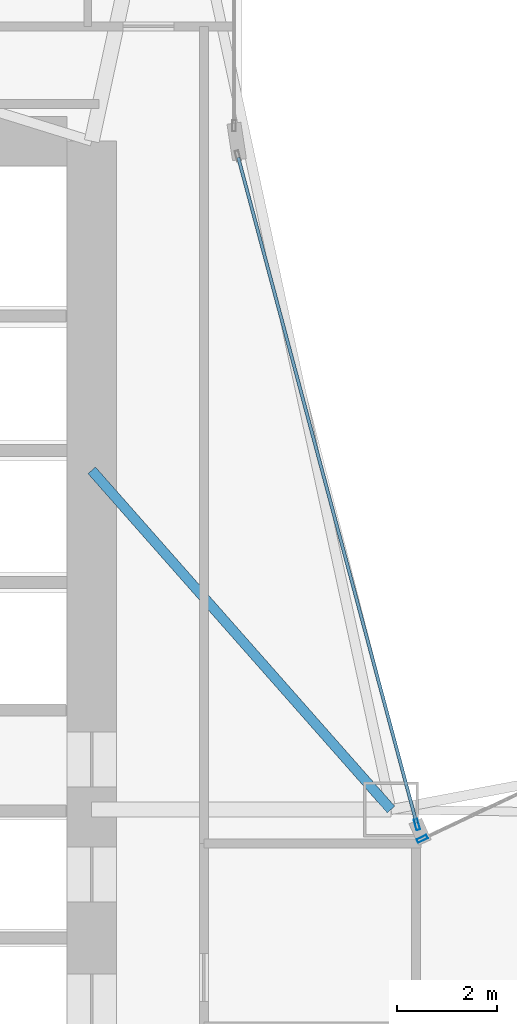
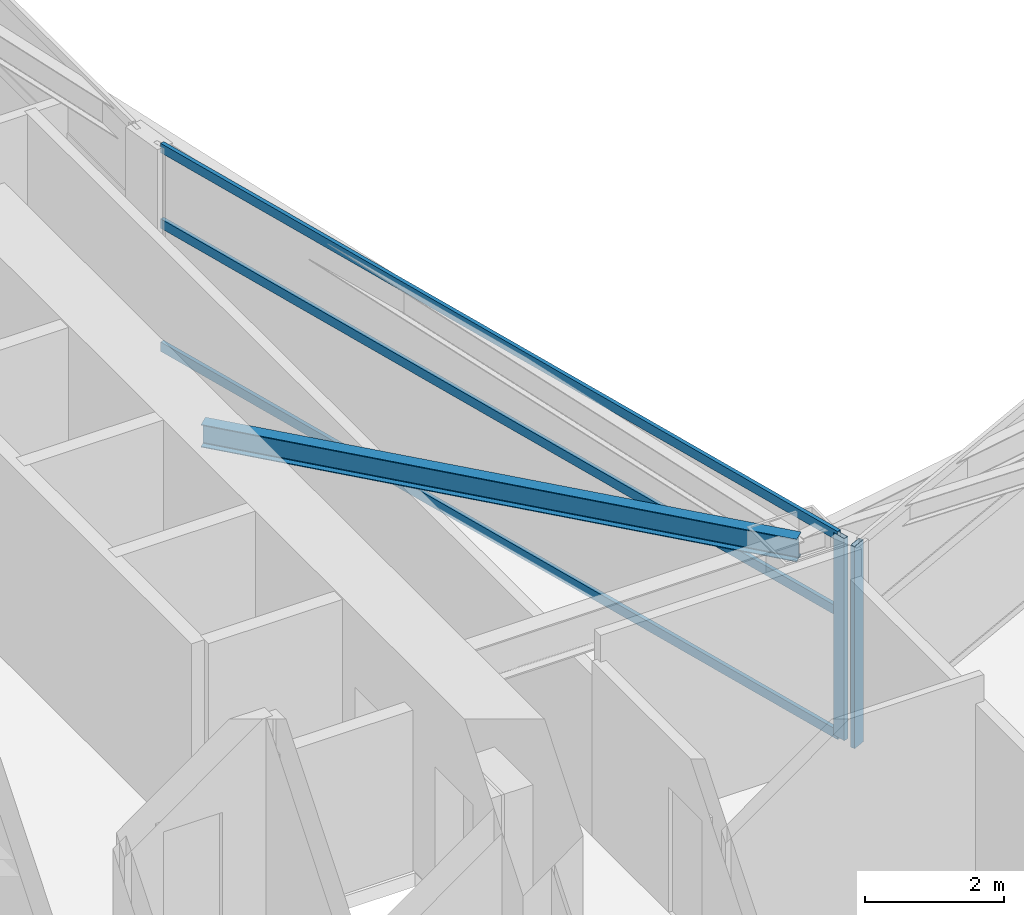
# One storey, part 10 of 29: 5 members, 1 beam, 2 elements without a shape of their own.
"""IFC4 building model written with IfcOpenShell, lengths in metres."""

from ifc_helpers import new_model, si_unit, direction, frame, origin, origin_2d, place, context, subcontext, project, spatial, hollow_rectangle, i_section, extrude, material, layer, layer_set, material_profile, profile_set, type_object, element, aggregate, save


model = new_model("IFC4")

# Units and contexts
model_context = context("Model", 3, precision=1e-05, world=origin(), true_north=direction((0.0, 1.0)))
body_context = subcontext(model_context, "Body", "Model", "MODEL_VIEW")
ifc_project = project(units=[si_unit("LENGTHUNIT", "METRE"), si_unit("AREAUNIT", "SQUARE_METRE"), si_unit("VOLUMEUNIT", "CUBIC_METRE"), si_unit("PLANEANGLEUNIT", "RADIAN"), si_unit("MASSUNIT", "GRAM", prefix="KILO")], contexts=[model_context])

# Site, building, storey
site_placement = place(None, origin())
site = spatial("IfcSite", under=ifc_project, at=site_placement, CompositionType="ELEMENT")
building_placement = place(site_placement, origin())
building = spatial("IfcBuilding", under=site, at=building_placement, Name="Calvorn Quay Hotel", CompositionType="ELEMENT")
storey_placement = place(building_placement, frame((0.0, 0.0, 58.39990234375)))
storey = spatial("IfcBuildingStorey", under=building, at=storey_placement, Name="L13", CompositionType="ELEMENT", Elevation=58.39990234375)

# Beam
ifc_material_1 = material(Name="Steel Q355B", Category="steel")
ifc_material_profile_1 = material_profile(ifc_material_1, i_section(OverallWidth=0.199951171875, OverallDepth=0.39990234375, WebThickness=0.008056640625, FlangeThickness=0.012939453125, FilletRadius=0.01611328125, at=origin_2d()), Name="HN400x200x8x13")
ifc_profile_set_1 = profile_set([ifc_material_profile_1], Name="Steel Q355B")
beam_type = type_object("IfcBeamType", Name="BM-JOIST-TYP", PredefinedType="JOIST", material=ifc_profile_set_1)
beam_placement = place(storey_placement, frame((15.0, 31.800048828125, 3.340087890625), z_axis=(0.661618965899, -0.749840212287, 0.0), x_axis=(0.749840212287, 0.661618965899, 0.0)))
element("IfcBeam", 1, at=beam_placement, inside=storey, type_object=beam_type, Name="Beam BJ-L13-C1", PredefinedType="JOIST", context=body_context, shape_type="SweptSolid", body=[
    extrude(i_section(OverallWidth=0.199951171875, OverallDepth=0.39990234375, WebThickness=0.008056640625, FlangeThickness=0.012939453125, FilletRadius=0.01611328125, at=origin_2d()), origin(), (0.0, 0.0, 1.0), 9.068603515625),
])

# Curtain wall, member
ifc_material_2 = material(Name="Pale Anodised Aluminium and Low-E Glass", Category="aluminium")
ifc_layer = layer(ifc_material_2, 0.219970703125)
ifc_layer_set = layer_set([ifc_layer], Name="CW-SYS-Z1")
curtain_wall_type = type_object("IfcCurtainWallType", Name="CW-SYS-Z1", PredefinedType="NOTDEFINED", material=ifc_layer_set)
curtain_wall_1_placement = place(storey_placement, origin())
curtain_wall_1 = element("IfcCurtainWall", 2, at=curtain_wall_1_placement, inside=storey, type_object=curtain_wall_type, Name="Inner Court Curtain Wall L13-NE1", PredefinedType="NOTDEFINED")
ifc_material_3 = material(Name="Pale Anodised Aluminium 6063-T6", Category="aluminium")
ifc_material_profile_2 = material_profile(ifc_material_3, hollow_rectangle(XDim=0.074951171875, YDim=0.219970703125, WallThickness=0.00439453125, at=origin_2d()), Name="ALU-M220x75x4.5")
ifc_profile_set_2 = profile_set([ifc_material_profile_2], Name="Pale Anodised Aluminium 6063-T6")
member_type_1 = type_object("IfcMemberType", Name="CW-SYS-Z1-MUL", PredefinedType="MULLION", material=ifc_profile_set_2)
member_1_placement = place(storey_placement, frame((21.627197265625, 24.412841796875, 0.0), z_axis=(0.0, 0.0, 1.0), x_axis=(0.427006305415, -0.904248646743, 0.0)))
member_1 = element("IfcMember", 3, at=member_1_placement, type_object=member_type_1, Name="CW-L13-NE1 mullion 4", PredefinedType="MULLION", context=body_context, shape_type="SweptSolid", body=[
    extrude(hollow_rectangle(XDim=0.074951171875, YDim=0.219970703125, WallThickness=0.00439453125, at=origin_2d()), origin(), (0.0, 0.0, 1.0), 3.56005859375),
])
aggregate(curtain_wall_1, [member_1])

# Curtain wall, members
curtain_wall_2_placement = place(storey_placement, origin())
curtain_wall_2 = element("IfcCurtainWall", 4, at=curtain_wall_2_placement, inside=storey, type_object=curtain_wall_type, Name="Inner Court Curtain Wall L13-IC1", PredefinedType="NOTDEFINED")
member_2_placement = place(storey_placement, frame((21.520263671875, 24.698974609375, 0.0), z_axis=(0.0, 0.0, 1.0), x_axis=(-0.96593652056, -0.25877913024, 0.0)))
member_2 = element("IfcMember", 5, at=member_2_placement, type_object=member_type_1, Name="CW-L13-IC1 mullion 1", PredefinedType="MULLION", context=body_context, shape_type="SweptSolid", body=[
    extrude(hollow_rectangle(XDim=0.074951171875, YDim=0.219970703125, WallThickness=0.00439453125, at=origin_2d()), origin(), (0.0, 0.0, 1.0), 3.56005859375),
])
ifc_material_4 = material(Name="Pale Anodised Aluminium 6063-T6", Category="aluminium")
ifc_material_profile_3 = material_profile(ifc_material_4, hollow_rectangle(XDim=0.06494140625, YDim=0.1650390625, WallThickness=0.00341796875, at=origin_2d()), Name="ALU-T165x65x3.5")
ifc_profile_set_3 = profile_set([ifc_material_profile_3], Name="Pale Anodised Aluminium 6063-T6")
member_type_2 = type_object("IfcMemberType", Name="CW-SYS-Z1-TRN", PredefinedType="USERDEFINED", material=ifc_profile_set_3)
member_3_placement = place(storey_placement, frame((21.512451171875, 24.72802734375, 0.030029296875), z_axis=(-0.258781136883, 0.965935982969, 0.0), x_axis=(-0.965935982969, -0.258781136883, 0.0)))
member_3 = element("IfcMember", 6, at=member_3_placement, type_object=member_type_2, Name="CW-L13-IC1 transom 1.1", ObjectType="TRANSOM", PredefinedType="USERDEFINED", context=body_context, shape_type="SweptSolid", body=[
    extrude(hollow_rectangle(XDim=0.06494140625, YDim=0.1650390625, WallThickness=0.00341796875, at=origin_2d()), origin(), (0.0, 0.0, 1.0), 13.814453125),
])
member_4_placement = place(storey_placement, frame((21.512451171875, 24.72802734375, 2.2001953125), z_axis=(-0.258781136883, 0.965935982969, 0.0), x_axis=(-0.965935982969, -0.258781136883, 0.0)))
member_4 = element("IfcMember", 7, at=member_4_placement, type_object=member_type_2, Name="CW-L13-IC1 transom 1.2", ObjectType="TRANSOM", PredefinedType="USERDEFINED", context=body_context, shape_type="SweptSolid", body=[
    extrude(hollow_rectangle(XDim=0.06494140625, YDim=0.1650390625, WallThickness=0.00341796875, at=origin_2d()), origin(), (0.0, 0.0, 1.0), 13.814453125),
])
member_5_placement = place(storey_placement, frame((21.512451171875, 24.72802734375, 3.530029296875), z_axis=(-0.258781136883, 0.965935982969, 0.0), x_axis=(-0.965935982969, -0.258781136883, 0.0)))
member_5 = element("IfcMember", 8, at=member_5_placement, type_object=member_type_2, Name="CW-L13-IC1 transom 1.3", ObjectType="TRANSOM", PredefinedType="USERDEFINED", context=body_context, shape_type="SweptSolid", body=[
    extrude(hollow_rectangle(XDim=0.06494140625, YDim=0.1650390625, WallThickness=0.00341796875, at=origin_2d()), origin(), (0.0, 0.0, 1.0), 13.814453125),
])
aggregate(curtain_wall_2, [member_2, member_3, member_4, member_5])

save(model, "model.ifc")
